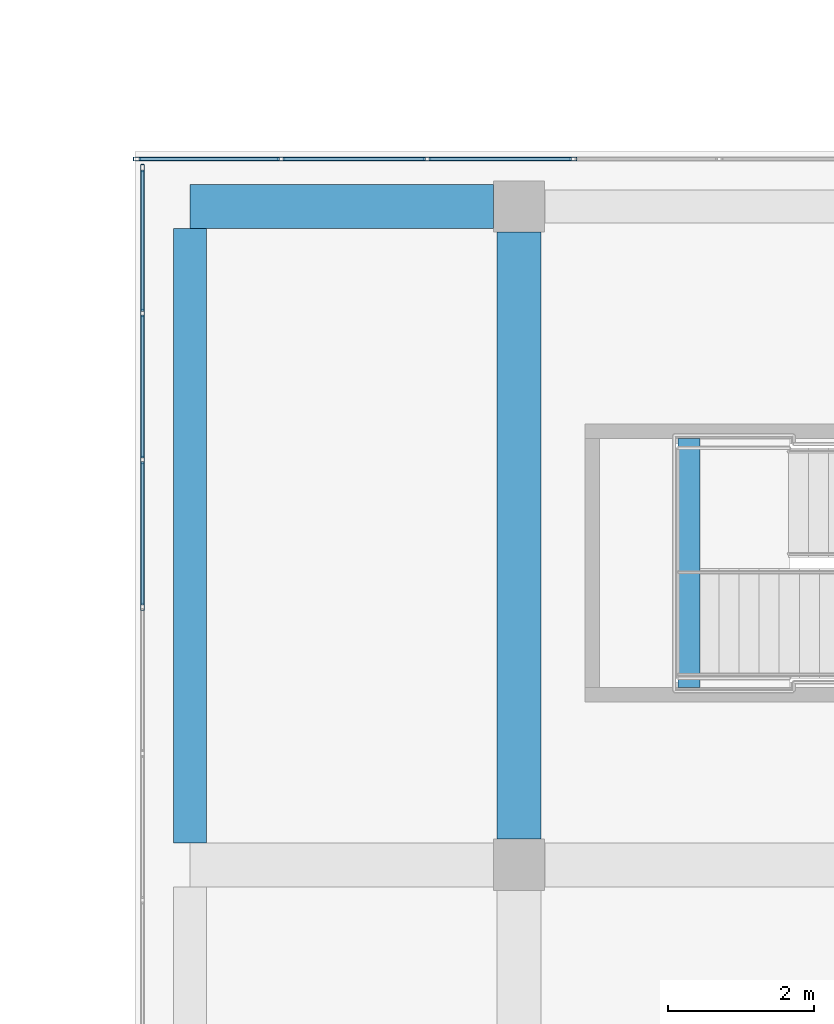
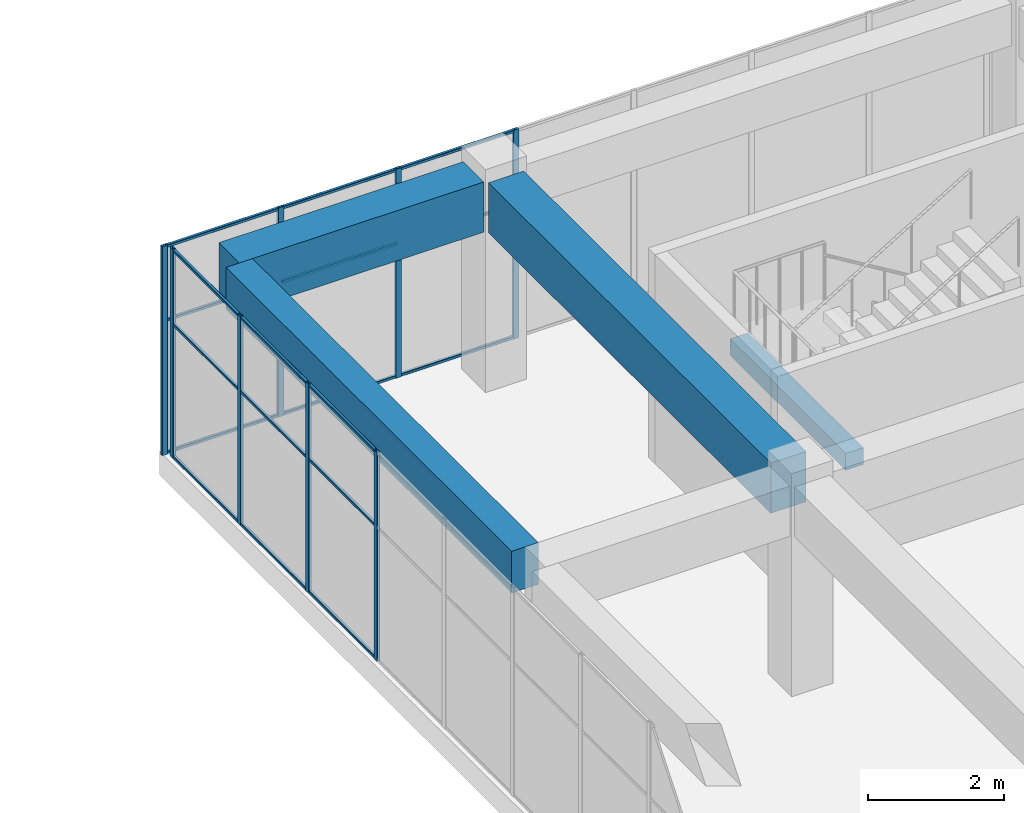
# One storey, part 29 of 49: 26 members, 4 beams, 2 elements without a shape of their own.
"""IFC4 building model written with IfcOpenShell, lengths in metres."""

from ifc_helpers import new_model, si_unit, direction, frame, origin, origin_2d, place, context, subcontext, project, spatial, rectangle, hollow_rectangle, extrude, material, layer, layer_set, material_profile, profile_set, type_object, element, aggregate, save


model = new_model("IFC4")

# Units and contexts
model_context = context("Model", 3, precision=1e-05, world=origin(), true_north=direction((0.0, 1.0)))
body_context = subcontext(model_context, "Body", "Model", "MODEL_VIEW")
ifc_project = project(units=[si_unit("LENGTHUNIT", "METRE"), si_unit("AREAUNIT", "SQUARE_METRE"), si_unit("VOLUMEUNIT", "CUBIC_METRE"), si_unit("PLANEANGLEUNIT", "RADIAN"), si_unit("MASSUNIT", "GRAM", prefix="KILO")], contexts=[model_context])

# Site, building, storey
site_placement = place(None, origin())
site = spatial("IfcSite", under=ifc_project, at=site_placement, CompositionType="ELEMENT")
building_placement = place(site_placement, origin())
building = spatial("IfcBuilding", under=site, at=building_placement, Name="Tuart Plaza Theatre", CompositionType="ELEMENT")
storey_placement = place(building_placement, frame((0.0, 0.0, 29.5)))
storey = spatial("IfcBuildingStorey", under=building, at=storey_placement, Name="L07", CompositionType="ELEMENT", Elevation=29.5)

# Beams
ifc_material_1 = material(Name="Concrete N40 (40 MPa)", Category="concrete")
ifc_material_profile_1 = material_profile(ifc_material_1, rectangle(XDim=0.300048828125, YDim=0.300048828125, at=origin_2d()), Name="BEAM 300x300 Concrete N40 (40 MPa)")
ifc_profile_set_1 = profile_set([ifc_material_profile_1], Name="Concrete N40 (40 MPa)")
beam_type_1 = type_object("IfcBeamType", Name="BEAM 300x300 Concrete N40 (40 MPa)", PredefinedType="BEAM", material=ifc_profile_set_1)
beam_1_placement = place(storey_placement, frame((116.320068359375, 88.824951171875, 1.64990234375), z_axis=(0.0, -1.0, 0.0), x_axis=(1.0, 0.0, 0.0)))
element("IfcBeam", 1, at=beam_1_placement, inside=storey, type_object=beam_type_1, Name="RB535", PredefinedType="BEAM", context=body_context, shape_type="SweptSolid", body=[
    extrude(rectangle(XDim=0.300048828125, YDim=0.300048828125, at=origin_2d()), origin(), (0.0, 0.0, 1.0), 3.39990234375),
])
ifc_material_2 = material(Name="Concrete N40 (40 MPa)", Category="concrete")
ifc_material_profile_2 = material_profile(ifc_material_2, rectangle(XDim=0.449951171875, YDim=0.75, at=origin_2d()), Name="BEAM 450x750 Concrete N40 (40 MPa)")
ifc_profile_set_2 = profile_set([ifc_material_profile_2], Name="Concrete N40 (40 MPa)")
beam_type_2 = type_object("IfcBeamType", Name="BEAM 450x750 Concrete N40 (40 MPa)", PredefinedType="BEAM", material=ifc_profile_set_2)
beam_2_placement = place(storey_placement, frame((109.5, 83.300048828125, 3.375), z_axis=(0.0, 1.0, 0.0), x_axis=(-1.0, 0.0, 0.0)))
element("IfcBeam", 2, at=beam_2_placement, inside=storey, type_object=beam_type_2, Name="RB252", PredefinedType="BEAM", context=body_context, shape_type="SweptSolid", body=[
    extrude(rectangle(XDim=0.449951171875, YDim=0.75, at=origin_2d()), origin(), (0.0, 0.0, 1.0), 8.39990234375),
])
ifc_material_3 = material(Name="Concrete N40 (40 MPa)", Category="concrete")
ifc_material_profile_3 = material_profile(ifc_material_3, rectangle(XDim=0.60009765625, YDim=0.89990234375, at=origin_2d()), Name="BEAM 600x900 Concrete N40 (40 MPa)")
ifc_profile_set_3 = profile_set([ifc_material_profile_3], Name="Concrete N40 (40 MPa)")
beam_type_3 = type_object("IfcBeamType", Name="BEAM 600x900 Concrete N40 (40 MPa)", PredefinedType="BEAM", material=ifc_profile_set_3)
beam_3_placement = place(storey_placement, frame((109.5, 92.0, 3.300048828125), z_axis=(1.0, 0.0, 0.0), x_axis=(0.0, 1.0, 0.0)))
element("IfcBeam", 3, at=beam_3_placement, inside=storey, type_object=beam_type_3, Name="RB254", PredefinedType="BEAM", context=body_context, shape_type="SweptSolid", body=[
    extrude(rectangle(XDim=0.60009765625, YDim=0.89990234375, at=origin_2d()), origin(), (0.0, 0.0, 1.0), 4.14990234375),
])
beam_4_placement = place(storey_placement, frame((114.0, 83.35009765625, 3.300048828125), z_axis=(0.0, 1.0, 0.0), x_axis=(-1.0, 0.0, 0.0)))
element("IfcBeam", 4, at=beam_4_placement, inside=storey, type_object=beam_type_3, Name="RB261", PredefinedType="BEAM", context=body_context, shape_type="SweptSolid", body=[
    extrude(rectangle(XDim=0.60009765625, YDim=0.89990234375, at=origin_2d()), origin(), (0.0, 0.0, 1.0), 8.2998046875),
])

# Curtain wall, members
ifc_material_4 = material(Name="Aluminium and glass", Category="aluminium")
ifc_layer = layer(ifc_material_4, 0.10009765625)
ifc_layer_set = layer_set([ifc_layer], Name="CURTAIN WALL 2000 module")
curtain_wall_type = type_object("IfcCurtainWallType", Name="CURTAIN WALL 2000 module", PredefinedType="NOTDEFINED", material=ifc_layer_set)
curtain_wall_1_placement = place(storey_placement, origin())
curtain_wall_1 = element("IfcCurtainWall", 5, at=curtain_wall_1_placement, inside=storey, type_object=curtain_wall_type, Name="CW96", PredefinedType="NOTDEFINED")
ifc_material_5 = material(Name="Aluminium 6063-T5", Category="aluminium")
ifc_material_profile_4 = material_profile(ifc_material_5, hollow_rectangle(XDim=0.050048828125, YDim=0.10009765625, WallThickness=0.00390625, InnerFilletRadius=0.00390625, OuterFilletRadius=0.008056640625, at=origin_2d()), Name="RHS 100x50x4")
ifc_profile_set_4 = profile_set([ifc_material_profile_4], Name="Aluminium 6063-T5")
member_type_1 = type_object("IfcMemberType", Name="MULLION RHS 100x50x4", PredefinedType="MULLION", material=ifc_profile_set_4)
member_1_placement = place(storey_placement, frame((114.738525390625, 92.64990234375, 0.0), z_axis=(0.0, 0.0, 1.0), x_axis=(0.0, -1.0, 0.0)))
member_1 = element("IfcMember", 6, at=member_1_placement, type_object=member_type_1, Name="CW96 mullion 11", PredefinedType="MULLION", context=body_context, shape_type="SweptSolid", body=[
    extrude(hollow_rectangle(XDim=0.050048828125, YDim=0.10009765625, WallThickness=0.00390625, InnerFilletRadius=0.00390625, OuterFilletRadius=0.008056640625, at=origin_2d()), origin(), (0.0, 0.0, 1.0), 3.75),
])
member_2_placement = place(storey_placement, frame((112.7421875, 92.64990234375, 0.0), z_axis=(0.0, 0.0, 1.0), x_axis=(0.0, -1.0, 0.0)))
member_2 = element("IfcMember", 7, at=member_2_placement, type_object=member_type_1, Name="CW96 mullion 12", PredefinedType="MULLION", context=body_context, shape_type="SweptSolid", body=[
    extrude(hollow_rectangle(XDim=0.050048828125, YDim=0.10009765625, WallThickness=0.00390625, InnerFilletRadius=0.00390625, OuterFilletRadius=0.008056640625, at=origin_2d()), origin(), (0.0, 0.0, 1.0), 3.75),
])
member_3_placement = place(storey_placement, frame((110.74609375, 92.64990234375, 0.0), z_axis=(0.0, 0.0, 1.0), x_axis=(0.0, -1.0, 0.0)))
member_3 = element("IfcMember", 8, at=member_3_placement, type_object=member_type_1, Name="CW96 mullion 13", PredefinedType="MULLION", context=body_context, shape_type="SweptSolid", body=[
    extrude(hollow_rectangle(XDim=0.050048828125, YDim=0.10009765625, WallThickness=0.00390625, InnerFilletRadius=0.00390625, OuterFilletRadius=0.008056640625, at=origin_2d()), origin(), (0.0, 0.0, 1.0), 3.75),
])
member_4_placement = place(storey_placement, frame((108.77490234375, 92.64990234375, 0.0), z_axis=(0.0, 0.0, 1.0), x_axis=(0.0, -1.0, 0.0)))
member_4 = element("IfcMember", 9, at=member_4_placement, type_object=member_type_1, Name="CW96 mullion 14", PredefinedType="MULLION", context=body_context, shape_type="SweptSolid", body=[
    extrude(hollow_rectangle(XDim=0.050048828125, YDim=0.10009765625, WallThickness=0.00390625, InnerFilletRadius=0.00390625, OuterFilletRadius=0.008056640625, at=origin_2d()), origin(), (0.0, 0.0, 1.0), 3.75),
])

curtain_wall_2_placement = place(storey_placement, origin())
curtain_wall_2 = element("IfcCurtainWall", 10, at=curtain_wall_2_placement, inside=storey, type_object=curtain_wall_type, Name="CW97", PredefinedType="NOTDEFINED")
member_5_placement = place(storey_placement, frame((108.85009765625, 92.52490234375, 0.0), z_axis=(0.0, 0.0, 1.0), x_axis=(1.0, 0.0, 0.0)))
member_5 = element("IfcMember", 11, at=member_5_placement, type_object=member_type_1, Name="CW97 mullion 1", PredefinedType="MULLION", context=body_context, shape_type="SweptSolid", body=[
    extrude(hollow_rectangle(XDim=0.050048828125, YDim=0.10009765625, WallThickness=0.00390625, InnerFilletRadius=0.00390625, OuterFilletRadius=0.008056640625, at=origin_2d()), origin(), (0.0, 0.0, 1.0), 3.75),
])
member_6_placement = place(storey_placement, frame((108.85009765625, 90.54296875, 0.0), z_axis=(0.0, 0.0, 1.0), x_axis=(1.0, 0.0, 0.0)))
member_6 = element("IfcMember", 12, at=member_6_placement, type_object=member_type_1, Name="CW97 mullion 2", PredefinedType="MULLION", context=body_context, shape_type="SweptSolid", body=[
    extrude(hollow_rectangle(XDim=0.050048828125, YDim=0.10009765625, WallThickness=0.00390625, InnerFilletRadius=0.00390625, OuterFilletRadius=0.008056640625, at=origin_2d()), origin(), (0.0, 0.0, 1.0), 3.75),
])
member_7_placement = place(storey_placement, frame((108.85009765625, 88.53564453125, 0.0), z_axis=(0.0, 0.0, 1.0), x_axis=(1.0, 0.0, 0.0)))
member_7 = element("IfcMember", 13, at=member_7_placement, type_object=member_type_1, Name="CW97 mullion 3", PredefinedType="MULLION", context=body_context, shape_type="SweptSolid", body=[
    extrude(hollow_rectangle(XDim=0.050048828125, YDim=0.10009765625, WallThickness=0.00390625, InnerFilletRadius=0.00390625, OuterFilletRadius=0.008056640625, at=origin_2d()), origin(), (0.0, 0.0, 1.0), 3.75),
])
member_8_placement = place(storey_placement, frame((108.85009765625, 86.528564453125, 0.0), z_axis=(0.0, 0.0, 1.0), x_axis=(1.0, 0.0, 0.0)))
member_8 = element("IfcMember", 14, at=member_8_placement, type_object=member_type_1, Name="CW97 mullion 4", PredefinedType="MULLION", context=body_context, shape_type="SweptSolid", body=[
    extrude(hollow_rectangle(XDim=0.050048828125, YDim=0.10009765625, WallThickness=0.00390625, InnerFilletRadius=0.00390625, OuterFilletRadius=0.008056640625, at=origin_2d()), origin(), (0.0, 0.0, 1.0), 3.75),
])

# Member
ifc_material_6 = material(Name="Aluminium 6063-T5", Category="aluminium")
ifc_material_profile_5 = material_profile(ifc_material_6, hollow_rectangle(XDim=0.050048828125, YDim=0.050048828125, WallThickness=0.00390625, InnerFilletRadius=0.00390625, OuterFilletRadius=0.008056640625, at=origin_2d()), Name="RHS 50x50x4")
ifc_profile_set_5 = profile_set([ifc_material_profile_5], Name="Aluminium 6063-T5")
member_type_2 = type_object("IfcMemberType", Name="TRANSOM RHS 50x50x4", PredefinedType="USERDEFINED", material=ifc_profile_set_5)
member_9_placement = place(storey_placement, frame((114.71337890625, 92.64990234375, 0.02490234375), z_axis=(-1.0, 0.0, 0.0), x_axis=(0.0, -1.0, 0.0)))
member_9 = element("IfcMember", 15, at=member_9_placement, type_object=member_type_2, Name="CW96 transom 11.1", ObjectType="TRANSOM", PredefinedType="USERDEFINED", context=body_context, shape_type="SweptSolid", body=[
    extrude(hollow_rectangle(XDim=0.050048828125, YDim=0.050048828125, WallThickness=0.00390625, InnerFilletRadius=0.00390625, OuterFilletRadius=0.008056640625, at=origin_2d()), origin(), (0.0, 0.0, 1.0), 1.946044921875),
])

member_10_placement = place(storey_placement, frame((114.71337890625, 92.64990234375, 2.39990234375), z_axis=(-1.0, 0.0, 0.0), x_axis=(0.0, -1.0, 0.0)))
member_10 = element("IfcMember", 16, at=member_10_placement, type_object=member_type_2, Name="CW96 transom 11.2", ObjectType="TRANSOM", PredefinedType="USERDEFINED", context=body_context, shape_type="SweptSolid", body=[
    extrude(hollow_rectangle(XDim=0.050048828125, YDim=0.050048828125, WallThickness=0.00390625, InnerFilletRadius=0.00390625, OuterFilletRadius=0.008056640625, at=origin_2d()), origin(), (0.0, 0.0, 1.0), 1.946044921875),
])

member_11_placement = place(storey_placement, frame((114.71337890625, 92.64990234375, 3.72509765625), z_axis=(-1.0, 0.0, 0.0), x_axis=(0.0, -1.0, 0.0)))
member_11 = element("IfcMember", 17, at=member_11_placement, type_object=member_type_2, Name="CW96 transom 11.3", ObjectType="TRANSOM", PredefinedType="USERDEFINED", context=body_context, shape_type="SweptSolid", body=[
    extrude(hollow_rectangle(XDim=0.050048828125, YDim=0.050048828125, WallThickness=0.00390625, InnerFilletRadius=0.00390625, OuterFilletRadius=0.008056640625, at=origin_2d()), origin(), (0.0, 0.0, 1.0), 1.946044921875),
])

member_12_placement = place(storey_placement, frame((112.71728515625, 92.64990234375, 0.02490234375), z_axis=(-1.0, 0.0, 0.0), x_axis=(0.0, -1.0, 0.0)))
member_12 = element("IfcMember", 18, at=member_12_placement, type_object=member_type_2, Name="CW96 transom 12.1", ObjectType="TRANSOM", PredefinedType="USERDEFINED", context=body_context, shape_type="SweptSolid", body=[
    extrude(hollow_rectangle(XDim=0.050048828125, YDim=0.050048828125, WallThickness=0.00390625, InnerFilletRadius=0.00390625, OuterFilletRadius=0.008056640625, at=origin_2d()), origin(), (0.0, 0.0, 1.0), 1.946044921875),
])

member_13_placement = place(storey_placement, frame((112.71728515625, 92.64990234375, 2.39990234375), z_axis=(-1.0, 0.0, 0.0), x_axis=(0.0, -1.0, 0.0)))
member_13 = element("IfcMember", 19, at=member_13_placement, type_object=member_type_2, Name="CW96 transom 12.2", ObjectType="TRANSOM", PredefinedType="USERDEFINED", context=body_context, shape_type="SweptSolid", body=[
    extrude(hollow_rectangle(XDim=0.050048828125, YDim=0.050048828125, WallThickness=0.00390625, InnerFilletRadius=0.00390625, OuterFilletRadius=0.008056640625, at=origin_2d()), origin(), (0.0, 0.0, 1.0), 1.946044921875),
])

member_14_placement = place(storey_placement, frame((112.71728515625, 92.64990234375, 3.72509765625), z_axis=(-1.0, 0.0, 0.0), x_axis=(0.0, -1.0, 0.0)))
member_14 = element("IfcMember", 20, at=member_14_placement, type_object=member_type_2, Name="CW96 transom 12.3", ObjectType="TRANSOM", PredefinedType="USERDEFINED", context=body_context, shape_type="SweptSolid", body=[
    extrude(hollow_rectangle(XDim=0.050048828125, YDim=0.050048828125, WallThickness=0.00390625, InnerFilletRadius=0.00390625, OuterFilletRadius=0.008056640625, at=origin_2d()), origin(), (0.0, 0.0, 1.0), 1.946044921875),
])

member_15_placement = place(storey_placement, frame((110.72119140625, 92.64990234375, 0.02490234375), z_axis=(-1.0, 0.0, 0.0), x_axis=(0.0, -1.0, 0.0)))
member_15 = element("IfcMember", 21, at=member_15_placement, type_object=member_type_2, Name="CW96 transom 13.1", ObjectType="TRANSOM", PredefinedType="USERDEFINED", context=body_context, shape_type="SweptSolid", body=[
    extrude(hollow_rectangle(XDim=0.050048828125, YDim=0.050048828125, WallThickness=0.00390625, InnerFilletRadius=0.00390625, OuterFilletRadius=0.008056640625, at=origin_2d()), origin(), (0.0, 0.0, 1.0), 1.921142578125),
])

member_16_placement = place(storey_placement, frame((110.72119140625, 92.64990234375, 2.39990234375), z_axis=(-1.0, 0.0, 0.0), x_axis=(0.0, -1.0, 0.0)))
member_16 = element("IfcMember", 22, at=member_16_placement, type_object=member_type_2, Name="CW96 transom 13.2", ObjectType="TRANSOM", PredefinedType="USERDEFINED", context=body_context, shape_type="SweptSolid", body=[
    extrude(hollow_rectangle(XDim=0.050048828125, YDim=0.050048828125, WallThickness=0.00390625, InnerFilletRadius=0.00390625, OuterFilletRadius=0.008056640625, at=origin_2d()), origin(), (0.0, 0.0, 1.0), 1.921142578125),
])

member_17_placement = place(storey_placement, frame((110.72119140625, 92.64990234375, 3.72509765625), z_axis=(-1.0, 0.0, 0.0), x_axis=(0.0, -1.0, 0.0)))
member_17 = element("IfcMember", 23, at=member_17_placement, type_object=member_type_2, Name="CW96 transom 13.3", ObjectType="TRANSOM", PredefinedType="USERDEFINED", context=body_context, shape_type="SweptSolid", body=[
    extrude(hollow_rectangle(XDim=0.050048828125, YDim=0.050048828125, WallThickness=0.00390625, InnerFilletRadius=0.00390625, OuterFilletRadius=0.008056640625, at=origin_2d()), origin(), (0.0, 0.0, 1.0), 1.921142578125),
])

aggregate(curtain_wall_1, [member_1, member_2, member_3, member_4, member_9, member_10, member_11, member_12, member_13, member_14, member_15, member_16, member_17])

member_18_placement = place(storey_placement, frame((108.85009765625, 92.5, 0.02490234375), z_axis=(0.0, -1.0, 0.0), x_axis=(1.0, 0.0, 0.0)))
member_18 = element("IfcMember", 24, at=member_18_placement, type_object=member_type_2, Name="CW97 transom 1.1", ObjectType="TRANSOM", PredefinedType="USERDEFINED", context=body_context, shape_type="SweptSolid", body=[
    extrude(hollow_rectangle(XDim=0.050048828125, YDim=0.050048828125, WallThickness=0.00390625, InnerFilletRadius=0.00390625, OuterFilletRadius=0.008056640625, at=origin_2d()), origin(), (0.0, 0.0, 1.0), 1.93212890625),
])

member_19_placement = place(storey_placement, frame((108.85009765625, 92.5, 2.39990234375), z_axis=(0.0, -1.0, 0.0), x_axis=(1.0, 0.0, 0.0)))
member_19 = element("IfcMember", 25, at=member_19_placement, type_object=member_type_2, Name="CW97 transom 1.2", ObjectType="TRANSOM", PredefinedType="USERDEFINED", context=body_context, shape_type="SweptSolid", body=[
    extrude(hollow_rectangle(XDim=0.050048828125, YDim=0.050048828125, WallThickness=0.00390625, InnerFilletRadius=0.00390625, OuterFilletRadius=0.008056640625, at=origin_2d()), origin(), (0.0, 0.0, 1.0), 1.93212890625),
])

member_20_placement = place(storey_placement, frame((108.85009765625, 92.5, 3.72509765625), z_axis=(0.0, -1.0, 0.0), x_axis=(1.0, 0.0, 0.0)))
member_20 = element("IfcMember", 26, at=member_20_placement, type_object=member_type_2, Name="CW97 transom 1.3", ObjectType="TRANSOM", PredefinedType="USERDEFINED", context=body_context, shape_type="SweptSolid", body=[
    extrude(hollow_rectangle(XDim=0.050048828125, YDim=0.050048828125, WallThickness=0.00390625, InnerFilletRadius=0.00390625, OuterFilletRadius=0.008056640625, at=origin_2d()), origin(), (0.0, 0.0, 1.0), 1.93212890625),
])

member_21_placement = place(storey_placement, frame((108.85009765625, 90.517822265625, 0.02490234375), z_axis=(0.0, -1.0, 0.0), x_axis=(1.0, 0.0, 0.0)))
member_21 = element("IfcMember", 27, at=member_21_placement, type_object=member_type_2, Name="CW97 transom 2.1", ObjectType="TRANSOM", PredefinedType="USERDEFINED", context=body_context, shape_type="SweptSolid", body=[
    extrude(hollow_rectangle(XDim=0.050048828125, YDim=0.050048828125, WallThickness=0.00390625, InnerFilletRadius=0.00390625, OuterFilletRadius=0.008056640625, at=origin_2d()), origin(), (0.0, 0.0, 1.0), 1.95703125),
])

member_22_placement = place(storey_placement, frame((108.85009765625, 90.517822265625, 2.39990234375), z_axis=(0.0, -1.0, 0.0), x_axis=(1.0, 0.0, 0.0)))
member_22 = element("IfcMember", 28, at=member_22_placement, type_object=member_type_2, Name="CW97 transom 2.2", ObjectType="TRANSOM", PredefinedType="USERDEFINED", context=body_context, shape_type="SweptSolid", body=[
    extrude(hollow_rectangle(XDim=0.050048828125, YDim=0.050048828125, WallThickness=0.00390625, InnerFilletRadius=0.00390625, OuterFilletRadius=0.008056640625, at=origin_2d()), origin(), (0.0, 0.0, 1.0), 1.95703125),
])

member_23_placement = place(storey_placement, frame((108.85009765625, 90.517822265625, 3.72509765625), z_axis=(0.0, -1.0, 0.0), x_axis=(1.0, 0.0, 0.0)))
member_23 = element("IfcMember", 29, at=member_23_placement, type_object=member_type_2, Name="CW97 transom 2.3", ObjectType="TRANSOM", PredefinedType="USERDEFINED", context=body_context, shape_type="SweptSolid", body=[
    extrude(hollow_rectangle(XDim=0.050048828125, YDim=0.050048828125, WallThickness=0.00390625, InnerFilletRadius=0.00390625, OuterFilletRadius=0.008056640625, at=origin_2d()), origin(), (0.0, 0.0, 1.0), 1.95703125),
])

member_24_placement = place(storey_placement, frame((108.85009765625, 88.5107421875, 0.02490234375), z_axis=(0.0, -1.0, 0.0), x_axis=(1.0, 0.0, 0.0)))
member_24 = element("IfcMember", 30, at=member_24_placement, type_object=member_type_2, Name="CW97 transom 3.1", ObjectType="TRANSOM", PredefinedType="USERDEFINED", context=body_context, shape_type="SweptSolid", body=[
    extrude(hollow_rectangle(XDim=0.050048828125, YDim=0.050048828125, WallThickness=0.00390625, InnerFilletRadius=0.00390625, OuterFilletRadius=0.008056640625, at=origin_2d()), origin(), (0.0, 0.0, 1.0), 1.957275390625),
])

member_25_placement = place(storey_placement, frame((108.85009765625, 88.5107421875, 2.39990234375), z_axis=(0.0, -1.0, 0.0), x_axis=(1.0, 0.0, 0.0)))
member_25 = element("IfcMember", 31, at=member_25_placement, type_object=member_type_2, Name="CW97 transom 3.2", ObjectType="TRANSOM", PredefinedType="USERDEFINED", context=body_context, shape_type="SweptSolid", body=[
    extrude(hollow_rectangle(XDim=0.050048828125, YDim=0.050048828125, WallThickness=0.00390625, InnerFilletRadius=0.00390625, OuterFilletRadius=0.008056640625, at=origin_2d()), origin(), (0.0, 0.0, 1.0), 1.957275390625),
])

member_26_placement = place(storey_placement, frame((108.85009765625, 88.5107421875, 3.72509765625), z_axis=(0.0, -1.0, 0.0), x_axis=(1.0, 0.0, 0.0)))
member_26 = element("IfcMember", 32, at=member_26_placement, type_object=member_type_2, Name="CW97 transom 3.3", ObjectType="TRANSOM", PredefinedType="USERDEFINED", context=body_context, shape_type="SweptSolid", body=[
    extrude(hollow_rectangle(XDim=0.050048828125, YDim=0.050048828125, WallThickness=0.00390625, InnerFilletRadius=0.00390625, OuterFilletRadius=0.008056640625, at=origin_2d()), origin(), (0.0, 0.0, 1.0), 1.957275390625),
])

aggregate(curtain_wall_2, [member_5, member_6, member_7, member_8, member_18, member_19, member_20, member_21, member_22, member_23, member_24, member_25, member_26])

save(model, "model.ifc")
